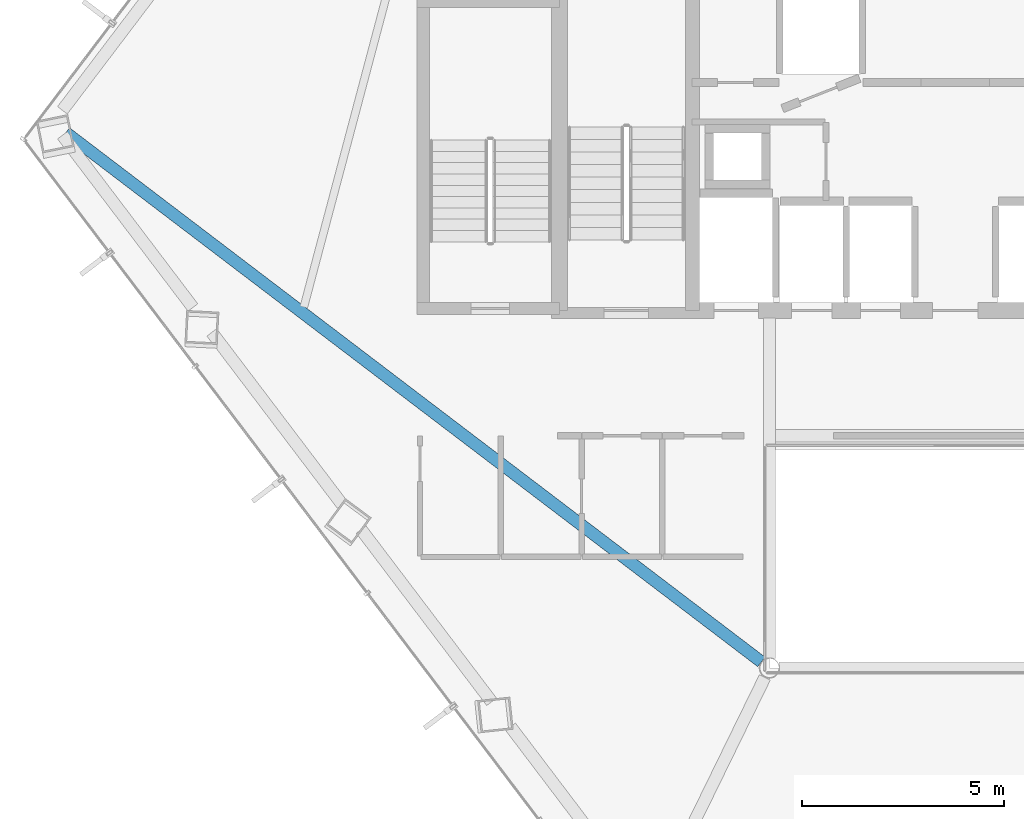
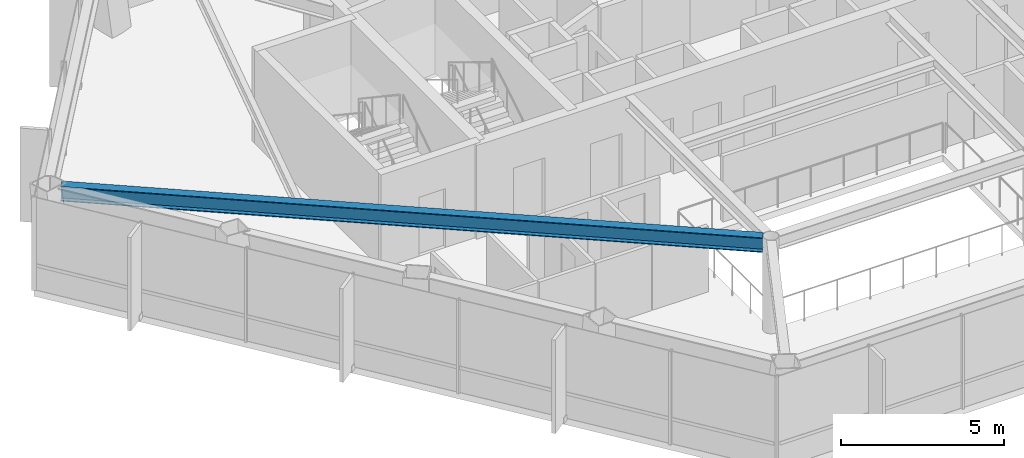
# One storey, part 5 of 28: 1 beam.
"""IFC4 building model written with IfcOpenShell, lengths in metres."""

from ifc_helpers import new_model, si_unit, direction, frame, origin, origin_2d, place, context, subcontext, project, spatial, i_section, extrude, material, material_profile, profile_set, type_object, element, save


model = new_model("IFC4")

# Units and contexts
model_context = context("Model", 3, precision=1e-05, world=origin(), true_north=direction((0.0, 1.0)))
body_context = subcontext(model_context, "Body", "Model", "MODEL_VIEW")
ifc_project = project(units=[si_unit("LENGTHUNIT", "METRE"), si_unit("AREAUNIT", "SQUARE_METRE"), si_unit("VOLUMEUNIT", "CUBIC_METRE"), si_unit("PLANEANGLEUNIT", "RADIAN"), si_unit("MASSUNIT", "GRAM", prefix="KILO")], contexts=[model_context])

# Site, building, storey
site_placement = place(None, origin())
site = spatial("IfcSite", under=ifc_project, at=site_placement, CompositionType="ELEMENT")
building_placement = place(site_placement, origin())
building = spatial("IfcBuilding", under=site, at=building_placement, Name="Zarrinselat Tower", CompositionType="ELEMENT")
storey_placement = place(building_placement, frame((0.0, 0.0, 153.340087890625)))
storey = spatial("IfcBuildingStorey", under=building, at=storey_placement, Name="L37", CompositionType="ELEMENT", Elevation=153.340087890625)

# Beam
ifc_material = material(Name="Steel S355J2", Category="steel")
ifc_material_profile = material_profile(ifc_material, i_section(OverallWidth=0.300048828125, OverallDepth=0.550048828125, WebThickness=0.014892578125, FlangeThickness=0.029052734375, at=origin_2d()), Name="HEB 550")
ifc_profile_set = profile_set([ifc_material_profile], Name="Steel S355J2")
beam_type = type_object("IfcBeamType", Name="BM-HEB550", PredefinedType="BEAM", material=ifc_profile_set)
beam_placement = place(storey_placement, frame((16.3828125, 37.654541015625, 3.21484375), z_axis=(0.795780227565, -0.605585526096, 0.0), x_axis=(0.605585526096, 0.795780227565, 0.0)))
element("IfcBeam", 1, at=beam_placement, inside=storey, type_object=beam_type, Name="L37 Radial Primary Girder RG06", PredefinedType="BEAM", context=body_context, shape_type="SweptSolid", body=[
    extrude(i_section(OverallWidth=0.300048828125, OverallDepth=0.550048828125, WebThickness=0.014892578125, FlangeThickness=0.029052734375, at=origin_2d()), origin(), (0.0, 0.0, 1.0), 21.636962890625),
])

save(model, "model.ifc")
